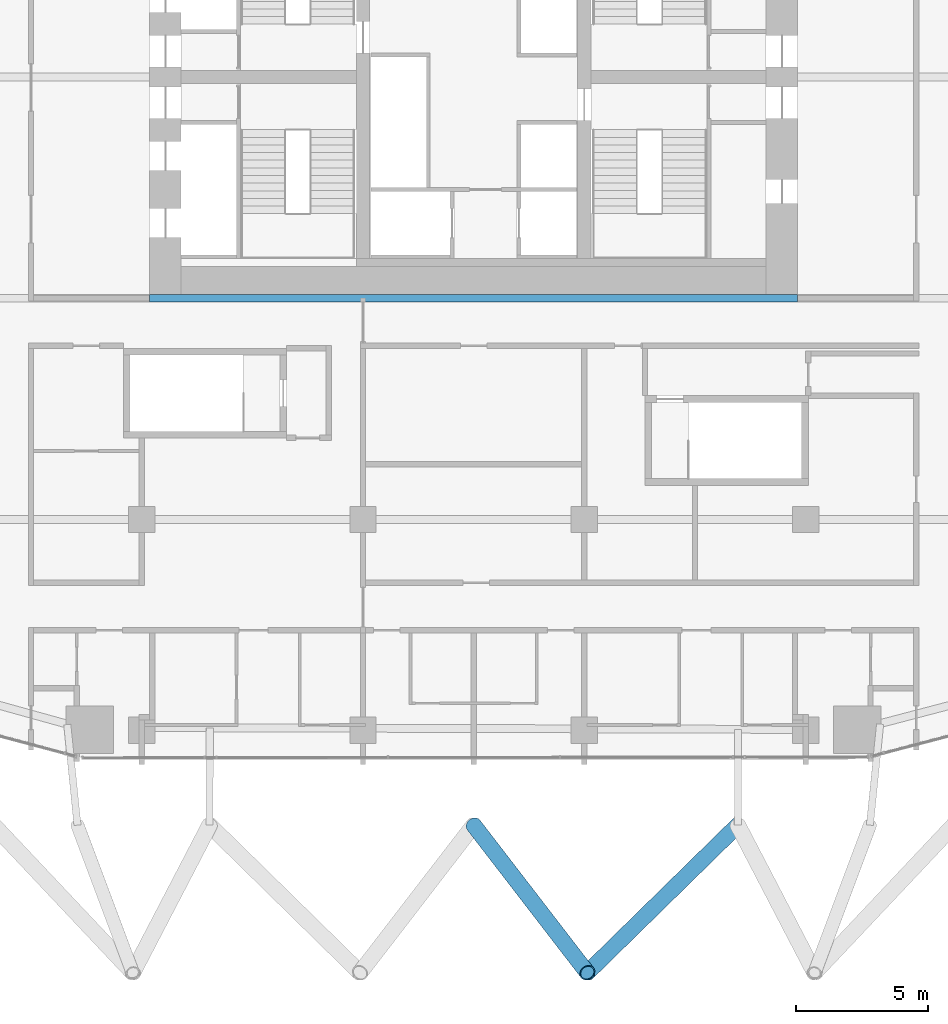
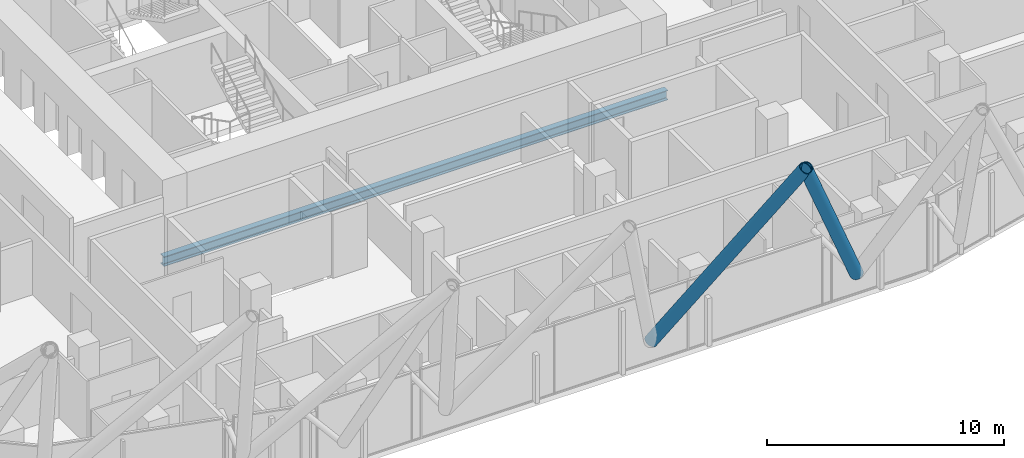
# One storey, part 5 of 36: 2 members, 1 beam.
"""IFC4 building model written with IfcOpenShell, lengths in metres."""

import ifcopenshell
import ifcopenshell.guid

model = None  # the IFC model being written
_history = None  # IfcOwnerHistory: only IFC2X3 demands one
_inside = {}  # id of a spatial element -> (the spatial element, [elements in it])
_under = {}  # id of a project, library or spatial element -> (it, [spatial elements below it])
_declared = {}  # id of a project -> (the project, [libraries it declares])
_typed = {}  # id of a type object -> (the type object, [elements of that type])
_made_of = {}  # id of a material, layer set ... -> (it, [elements and type objects made of it])


def new_model(schema):
    """Start an empty IFC model of exactly this schema.

    Asked for "IFC4X3", IfcOpenShell would pick the latest addendum, in which some entities
    have other attributes; the version numbers below select the first issue.
    IFC2X3 requires an IfcOwnerHistory on every rooted entity: one is made here for all.
    """
    global model, _history
    if schema == "IFC4X3":
        model = ifcopenshell.file(schema_version=(4, 3, 0, 0))
    else:
        model = ifcopenshell.file(schema=schema)
    _inside.clear()
    _under.clear()
    _declared.clear()
    _typed.clear()
    _made_of.clear()
    _history = None
    if model.schema == "IFC2X3":
        org = make("IfcOrganization", Name="unknown")
        user = make(
            "IfcPersonAndOrganization",
            ThePerson=make("IfcPerson", FamilyName="unknown"),
            TheOrganization=org,
        )
        app = make(
            "IfcApplication",
            ApplicationDeveloper=org,
            Version="unknown",
            ApplicationFullName="unknown",
            ApplicationIdentifier="unknown",
        )
        _history = make(
            "IfcOwnerHistory",
            OwningUser=user,
            OwningApplication=app,
            ChangeAction="ADDED",
            CreationDate=0,
        )
    return model


def make(cls, **values):
    """One entity of the class cls with the attributes given. An attribute that is None is left unset."""
    return model.create_entity(
        cls, **{name: value for name, value in values.items() if value is not None}
    )


def rooted(cls, **values):
    """An entity with a GlobalId (a new one), such as an element, a storey or a relation."""
    return make(cls, GlobalId=ifcopenshell.guid.new(), OwnerHistory=_history, **values)


def si_unit(unit_type, name, prefix=None):
    """IfcSIUnit, for example si_unit("LENGTHUNIT", "METRE", prefix="MILLI")."""
    return make("IfcSIUnit", UnitType=unit_type, Prefix=prefix, Name=name)


def assignment(units):
    """IfcUnitAssignment: the units of a project."""
    return None if units is None else make("IfcUnitAssignment", Units=units)


def point(xyz):
    """IfcCartesianPoint."""
    return None if xyz is None else make("IfcCartesianPoint", Coordinates=xyz)


def direction(xyz):
    """IfcDirection."""
    return None if xyz is None else make("IfcDirection", DirectionRatios=xyz)


def frame(location, z_axis=None, x_axis=None):
    """IfcAxis2Placement3D, a coordinate frame: its origin and axes. An axis left out is left unset."""
    return make(
        "IfcAxis2Placement3D",
        Location=point(location),
        Axis=direction(z_axis),
        RefDirection=direction(x_axis),
    )


def frame_2d(location, x_axis=None):
    """IfcAxis2Placement2D, a coordinate frame in the plane: its origin and x axis."""
    return make(
        "IfcAxis2Placement2D", Location=point(location), RefDirection=direction(x_axis)
    )


def origin():
    """The frame at (0, 0, 0) with its axes left unset."""
    return frame((0.0, 0.0, 0.0))


def origin_2d():
    """The frame at (0, 0) in the plane with its x axis left unset."""
    return frame_2d((0.0, 0.0))


def place(relative_to, where):
    """IfcLocalPlacement: puts the frame where relative to a parent placement (None: the world)."""
    return make(
        "IfcLocalPlacement", PlacementRelTo=relative_to, RelativePlacement=where
    )


def context(
    kind, dimensions, precision=None, world=None, true_north=None, identifier=None
):
    """IfcGeometricRepresentationContext, for example the 3D "Model" context."""
    return make(
        "IfcGeometricRepresentationContext",
        ContextIdentifier=identifier,
        ContextType=kind,
        CoordinateSpaceDimension=dimensions,
        Precision=precision,
        WorldCoordinateSystem=world,
        TrueNorth=true_north,
    )


def subcontext(parent, identifier, kind, view, scale=None):
    """IfcGeometricRepresentationSubContext, for example "Body" below "Model"."""
    return make(
        "IfcGeometricRepresentationSubContext",
        ContextIdentifier=identifier,
        ContextType=kind,
        ParentContext=parent,
        TargetScale=scale,
        TargetView=view,
    )


def project(units=None, contexts=None):
    """IfcProject with its units and contexts."""
    return rooted(
        "IfcProject",
        Name="project",
        RepresentationContexts=contexts,
        UnitsInContext=assignment(units),
    )


def spatial(cls, under=None, at=None, **own):
    """A site, building, storey or space (cls), placed at a placement, below another one or the project."""
    s = rooted(cls, ObjectPlacement=at, **own)
    if under is not None:
        _under.setdefault(under.id(), (under, []))[1].append(s)
    return s


def profile(cls, at=None, kind="AREA", **sizes):
    """A parametric profile (cls). Its sizes go by their IFC names, for example OverallWidth=200.0."""
    return make(cls, ProfileType=kind, Position=at, **sizes)


def hollow_circle(**sizes):
    """IfcCircleHollowProfileDef."""
    return profile("IfcCircleHollowProfileDef", **sizes)


def i_section(**sizes):
    """IfcIShapeProfileDef."""
    return profile("IfcIShapeProfileDef", **sizes)


def extrude(swept, where, along, depth):
    """IfcExtrudedAreaSolid: the profile swept, set in the frame where, extruded along a direction by depth."""
    return make(
        "IfcExtrudedAreaSolid",
        SweptArea=swept,
        Position=where,
        ExtrudedDirection=direction(along),
        Depth=depth,
    )


def shape(context_of_items, identifier, shape_type, items):
    """IfcShapeRepresentation: the items that make up one representation, for example the "Body"."""
    return make(
        "IfcShapeRepresentation",
        ContextOfItems=context_of_items,
        RepresentationIdentifier=identifier,
        RepresentationType=shape_type,
        Items=items,
    )


def material(Name=None, Category=None):
    """IfcMaterial."""
    return make("IfcMaterial", Name=Name, Category=Category)


def material_profile(
    of_material, cross_section, Name=None, Category=None, Priority=None
):
    """IfcMaterialProfile: a cross section and its material."""
    return make(
        "IfcMaterialProfile",
        Name=Name,
        Material=of_material,
        Profile=cross_section,
        Priority=Priority,
        Category=Category,
    )


def profile_set(profiles, Name=None, composite=None):
    """IfcMaterialProfileSet."""
    return make(
        "IfcMaterialProfileSet",
        Name=Name,
        MaterialProfiles=profiles,
        CompositeProfile=composite,
    )


def made_of(thing, what):
    """Note that an element or type object is made of a material, layer set ...; save() writes the relation."""
    if what is not None:
        _made_of.setdefault(what.id(), (what, []))[1].append(thing)
    return thing


def type_object(cls, material=None, **own):
    """A type object (cls), such as IfcWallType, which elements share."""
    return made_of(rooted(cls, **own), material)


def element(
    cls,
    number,
    at=None,
    inside=None,
    cuts=None,
    type_object=None,
    material=None,
    context=None,
    identifier="Body",
    shape_type=None,
    held_by="IfcProductDefinitionShape",
    body=None,
    shapes=None,
    **own,
):
    """One element of the class cls, such as IfcWall. Its Tag is "e" and its number.

    at: its placement. inside: the storey or other place that contains it. cuts: it is an
    opening in that element (IfcRelVoidsElement). A single representation is given by context,
    identifier, shape_type and body (its items); several are given by shapes. held_by: the class
    of the entity that holds the representations. save() writes the other relations.
    """
    e = rooted(cls, Tag="e%d" % number, ObjectPlacement=at, **own)
    if body is not None:
        shapes = [shape(context, identifier, shape_type, body)]
    if shapes is not None:
        e.Representation = make(held_by, Representations=shapes)
    if inside is not None:
        _inside.setdefault(inside.id(), (inside, []))[1].append(e)
    if cuts is not None:
        rooted(
            "IfcRelVoidsElement", RelatingBuildingElement=cuts, RelatedOpeningElement=e
        )
    if type_object is not None:
        _typed.setdefault(type_object.id(), (type_object, []))[1].append(e)
    return made_of(e, material)


def aggregate(whole, parts):
    """IfcRelAggregates: a whole, such as a stair, and the parts it consists of."""
    return rooted("IfcRelAggregates", RelatingObject=whole, RelatedObjects=parts)


def save(model, path):
    """Write the relations noted so far, then the file.

    IfcRelAggregates (storeys below a building ...), IfcRelContainedInSpatialStructure (elements
    in a storey), IfcRelDefinesByType, IfcRelAssociatesMaterial and IfcRelDeclares: one each for
    every whole, place, type object, material and project.
    """
    for whole, parts in _under.values():
        aggregate(whole, parts)
    for where, things in _inside.values():
        rooted(
            "IfcRelContainedInSpatialStructure",
            RelatedElements=things,
            RelatingStructure=where,
        )
    for kind, things in _typed.values():
        rooted("IfcRelDefinesByType", RelatedObjects=things, RelatingType=kind)
    for what, things in _made_of.values():
        rooted("IfcRelAssociatesMaterial", RelatedObjects=things, RelatingMaterial=what)
    for by, libraries in _declared.values():
        rooted("IfcRelDeclares", RelatingContext=by, RelatedDefinitions=libraries)
    model.write(path)


model = new_model("IFC4")

# Units and contexts
model_context = context("Model", 3, precision=1e-05, world=origin(), true_north=direction((0.0, 1.0)))
body_context = subcontext(model_context, "Body", "Model", "MODEL_VIEW")
ifc_project = project(units=[si_unit("LENGTHUNIT", "METRE"), si_unit("AREAUNIT", "SQUARE_METRE"), si_unit("VOLUMEUNIT", "CUBIC_METRE"), si_unit("PLANEANGLEUNIT", "RADIAN"), si_unit("MASSUNIT", "GRAM", prefix="KILO")], contexts=[model_context])

# Site, building, storey
site_placement = place(None, origin())
site = spatial("IfcSite", under=ifc_project, at=site_placement, CompositionType="ELEMENT")
building_placement = place(site_placement, origin())
building = spatial("IfcBuilding", under=site, at=building_placement, Name="Marenta Gate Hotel Tower", CompositionType="ELEMENT")
storey_placement = place(building_placement, frame((0.0, 0.0, 83.300048828125)))
storey = spatial("IfcBuildingStorey", under=building, at=storey_placement, Name="L19", CompositionType="ELEMENT", Elevation=83.300048828125)

# Members
ifc_material_1 = material(Name="Steel S355J2W", Category="steel")
ifc_material_profile_1 = material_profile(ifc_material_1, hollow_circle(Radius=0.304931640625, WallThickness=0.0400390625, at=origin_2d()), Name="CHS 610x40")
ifc_profile_set_1 = profile_set([ifc_material_profile_1], Name="Steel S355J2W")
member_type = type_object("IfcMemberType", Name="Diagrid diagonal T1 CHS 610x40", PredefinedType="BRACE", material=ifc_profile_set_1)
member_1_placement = place(storey_placement, frame((10.02587890625, -20.0, 3.139892578125), z_axis=(-0.425059598243, -0.416667395919, 0.803562455021), x_axis=(0.700021979774, -0.714121297703, 0.0)))
element("IfcMember", 1, at=member_1_placement, inside=storey, type_object=member_type, Name="L19-DG-16", PredefinedType="BRACE", context=body_context, shape_type="SweptSolid", body=[
    extrude(hollow_circle(Radius=0.304931640625, WallThickness=0.0400390625, at=origin_2d()), origin(), (0.0, 0.0, 1.0), 13.440185546875),
])
member_2_placement = place(storey_placement, frame((0.0, -20.0, 3.139892578125), z_axis=(0.334145444557, -0.433863251853, 0.836725463084), x_axis=(0.792266902372, 0.610174692532, 0.0)))
element("IfcMember", 2, at=member_2_placement, inside=storey, type_object=member_type, Name="L19-DG-17", PredefinedType="BRACE", context=body_context, shape_type="SweptSolid", body=[
    extrude(hollow_circle(Radius=0.304931640625, WallThickness=0.0400390625, at=origin_2d()), origin(), (0.0, 0.0, 1.0), 12.907470703125),
])

# Beam
ifc_material_2 = material(Name="Steel S355", Category="steel")
ifc_material_profile_2 = material_profile(ifc_material_2, i_section(OverallWidth=0.300048828125, OverallDepth=0.5, WebThickness=0.014404296875, FlangeThickness=0.028076171875, FilletRadius=0.027099609375, at=origin_2d()), Name="HEB 500")
ifc_profile_set_2 = profile_set([ifc_material_profile_2], Name="Steel S355")
beam_type = type_object("IfcBeamType", Name="Girder HEB 500", PredefinedType="BEAM", material=ifc_profile_set_2)
beam_placement = place(storey_placement, frame((-12.300048828125, 0.0, -0.510009765625), z_axis=(1.0, 0.0, 0.0), x_axis=(0.0, 1.0, 0.0)))
element("IfcBeam", 3, at=beam_placement, inside=storey, type_object=beam_type, Name="L19-GD-10", PredefinedType="BEAM", context=body_context, shape_type="SweptSolid", body=[
    extrude(i_section(OverallWidth=0.300048828125, OverallDepth=0.5, WebThickness=0.014404296875, FlangeThickness=0.028076171875, FilletRadius=0.027099609375, at=origin_2d()), origin(), (0.0, 0.0, 1.0), 24.60009765625),
])

save(model, "model.ifc")
